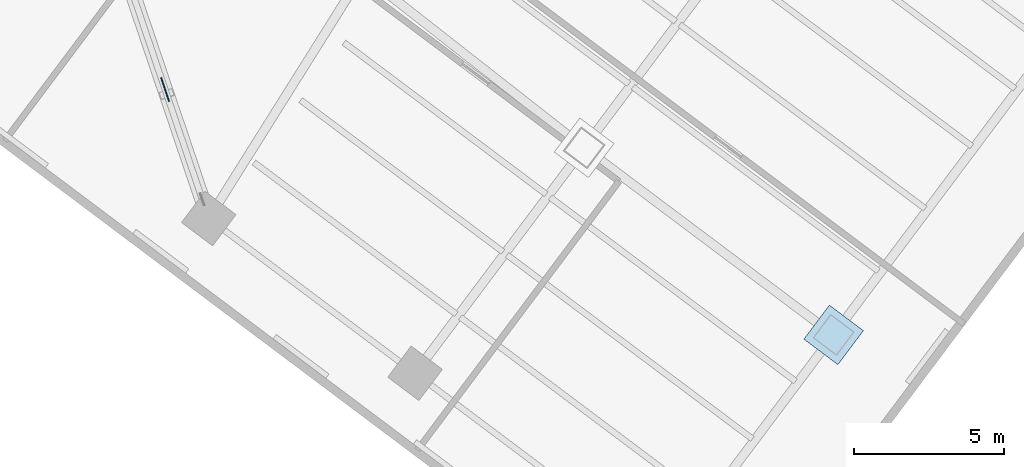
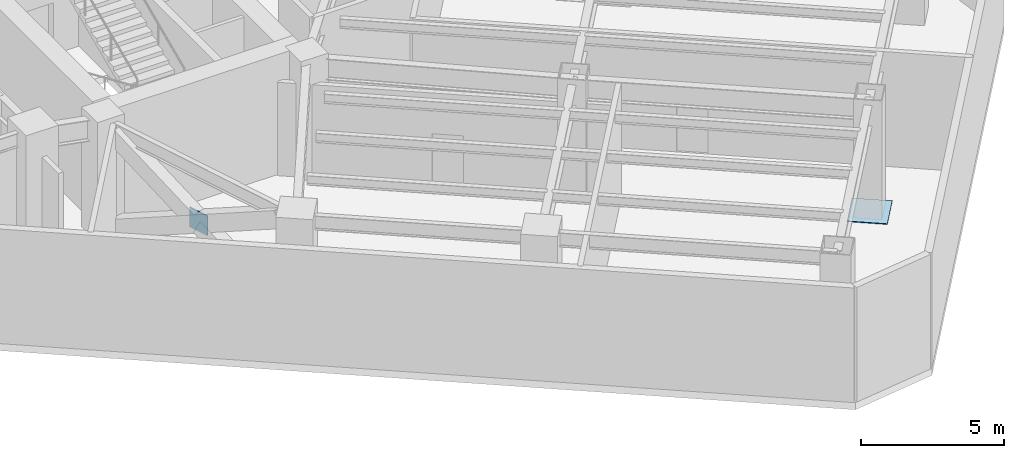
# One storey, part 4 of 16: 2 plates.
"""IFC4 building model written with IfcOpenShell, lengths in metres."""

from ifc_helpers import new_model, si_unit, direction, frame, origin, origin_2d, place, context, subcontext, project, spatial, rectangle, extrude, material, layer, layer_set, type_object, element, save


model = new_model("IFC4")

# Units and contexts
model_context = context("Model", 3, precision=1e-05, world=origin(), true_north=direction((0.0, 1.0)))
body_context = subcontext(model_context, "Body", "Model", "MODEL_VIEW")
ifc_project = project(units=[si_unit("LENGTHUNIT", "METRE"), si_unit("AREAUNIT", "SQUARE_METRE"), si_unit("VOLUMEUNIT", "CUBIC_METRE"), si_unit("PLANEANGLEUNIT", "RADIAN"), si_unit("MASSUNIT", "GRAM", prefix="KILO")], contexts=[model_context])

# Site, building, storey
site_placement = place(None, origin())
site = spatial("IfcSite", under=ifc_project, at=site_placement, CompositionType="ELEMENT")
building_placement = place(site_placement, origin())
building = spatial("IfcBuilding", under=site, at=building_placement, Name="Hatsunagi Terrace Concourse", CompositionType="ELEMENT")
storey_placement = place(building_placement, frame((0.0, 0.0, 27.0)))
storey = spatial("IfcBuildingStorey", under=building, at=storey_placement, Name="L06", CompositionType="ELEMENT", Elevation=27.0)

# Plates
ifc_material_1 = material(Name="Steel SN490C", Category="steel")
ifc_layer_1 = layer(ifc_material_1, 0.031982421875)
ifc_layer_set_1 = layer_set([ifc_layer_1], Name="ColumnEndCapPlate_32")
plate_type_1 = type_object("IfcPlateType", Name="ColumnEndCapPlate_32", PredefinedType="USERDEFINED", material=ifc_layer_set_1)
plate_1_placement = place(storey_placement, frame((59.52001953125, 12.159912109375, 0.0), z_axis=(0.0, 0.0, 1.0), x_axis=(0.799999996291, -0.600000004945, 0.0)))
element("IfcPlate", 1, at=plate_1_placement, inside=storey, type_object=plate_type_1, Name="Hollow Column Base Cap Plate GP-03 L06-SEM3", ObjectType="GUSSET_PLATE", PredefinedType="USERDEFINED", context=body_context, shape_type="SweptSolid", body=[
    extrude(rectangle(XDim=1.419921875, YDim=1.419921875, at=origin_2d()), origin(), (0.0, 0.0, 1.0), 0.031982421875),
])
ifc_material_2 = material(Name="Steel SN490C", Category="steel")
ifc_layer_2 = layer(ifc_material_2, 0.035888671875)
ifc_layer_set_2 = layer_set([ifc_layer_2], Name="OutriggerGussetPlate_36")
plate_type_2 = type_object("IfcPlateType", Name="OutriggerGussetPlate_36", PredefinedType="USERDEFINED", material=ifc_layer_set_2)
plate_2_placement = place(storey_placement, frame((37.22412109375, 20.343017578125, 2.02001953125), z_axis=(0.0, 0.0, 1.0), x_axis=(0.320565047555, -0.947226504214, 0.0)))
element("IfcPlate", 2, at=plate_2_placement, inside=storey, type_object=plate_type_2, Name="Crossing Gusset Node Plate GP-01 OUT-L06-5", ObjectType="GUSSET_PLATE", PredefinedType="USERDEFINED", context=body_context, shape_type="SweptSolid", body=[
    extrude(rectangle(XDim=0.840087890625, YDim=0.035888671875, at=origin_2d()), origin(), (0.0, 0.0, 1.0), 0.840087890625),
])

save(model, "model.ifc")
